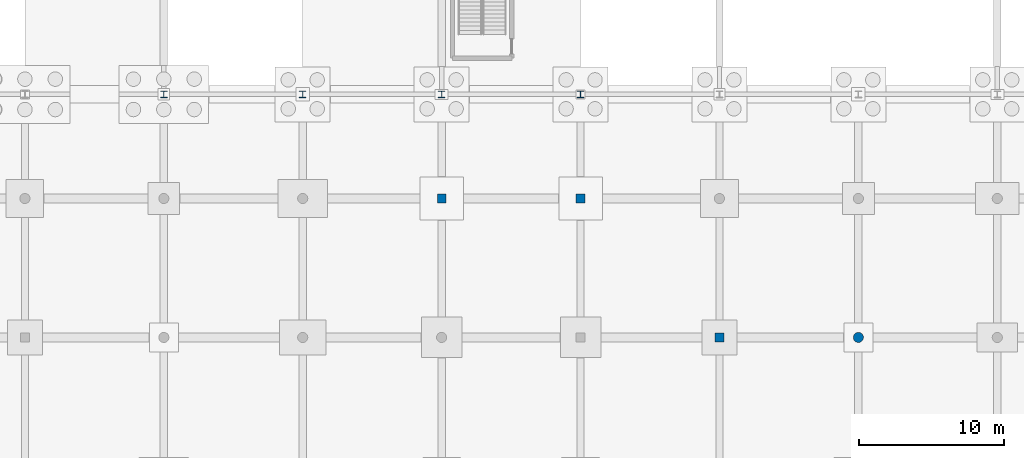
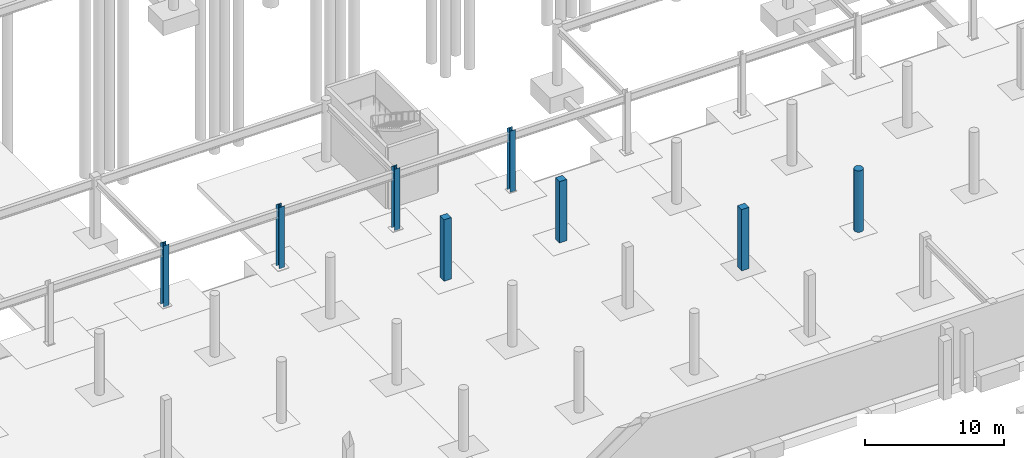
# One storey, part 15 of 50: 8 columns.
"""IFC4 building model written with IfcOpenShell, lengths in metres."""

from ifc_helpers import new_model, si_unit, direction, frame, origin, origin_2d, place, context, subcontext, project, spatial, rectangle, circle, i_section, extrude, material, material_profile, profile_set, type_object, element, save


model = new_model("IFC4")

# Units and contexts
model_context = context("Model", 3, precision=1e-05, world=origin(), true_north=direction((0.0, 1.0)))
body_context = subcontext(model_context, "Body", "Model", "MODEL_VIEW")
ifc_project = project(units=[si_unit("LENGTHUNIT", "METRE"), si_unit("AREAUNIT", "SQUARE_METRE"), si_unit("VOLUMEUNIT", "CUBIC_METRE"), si_unit("PLANEANGLEUNIT", "RADIAN"), si_unit("MASSUNIT", "GRAM", prefix="KILO")], contexts=[model_context])

# Site, building, storey
site_placement = place(None, origin())
site = spatial("IfcSite", under=ifc_project, at=site_placement, CompositionType="ELEMENT")
building_placement = place(site_placement, origin())
building = spatial("IfcBuilding", under=site, at=building_placement, Name="Yeouljin Market Hall", CompositionType="ELEMENT")
storey_placement = place(building_placement, frame((0.0, 0.0, -5.39990234375)))
storey = spatial("IfcBuildingStorey", under=building, at=storey_placement, Name="B1", CompositionType="ELEMENT", Elevation=-5.39990234375)

# Columns
ifc_material_1 = material(Name="Steel SM355", Category="steel")
ifc_material_profile_1 = material_profile(ifc_material_1, i_section(OverallWidth=0.449951171875, OverallDepth=0.449951171875, WebThickness=0.013916015625, FlangeThickness=0.02392578125, FilletRadius=0.02392578125, at=origin_2d()), Name="H-450x450x14x24")
ifc_profile_set_1 = profile_set([ifc_material_profile_1], Name="Steel SM355")
column_type_1 = type_object("IfcColumnType", Name="Col_H-450x450x14x24", PredefinedType="COLUMN", material=ifc_profile_set_1)
for number, where, z_axis, x_axis, name in (
    (1, (64.199951171875, 36.0, 0.0), (0.0, 0.0, 1.0), (1.0, 0.0, 0.0), "Column G-08-04 (B1)"),
    (2, (73.800048828125, 36.0, 0.0), (0.0, 0.0, 1.0), (1.0, 0.0, 0.0), "Column G-09-04 (B1)"),
    (3, (83.39990234375, 36.0, 0.0), (0.0, 0.0, 1.0), (1.0, 0.0, 0.0), "Column G-10-04 (B1)"),
    (4, (93.0, 36.0, 0.0), (0.0, 0.0, 1.0), (1.0, 0.0, 0.0), "Column G-11-04 (B1)"),
):
    element("IfcColumn", number, at=place(storey_placement, frame(where, z_axis=z_axis, x_axis=x_axis)), inside=storey, type_object=column_type_1, Name=name, PredefinedType="COLUMN", context=body_context, shape_type="SweptSolid", body=[
        extrude(i_section(OverallWidth=0.449951171875, OverallDepth=0.449951171875, WebThickness=0.013916015625, FlangeThickness=0.02392578125, FilletRadius=0.02392578125, at=origin_2d()), origin(), (0.0, 0.0, 1.0), 5.39990234375),
    ])
ifc_material_2 = material(Name="Concrete C35/45", Category="concrete")
ifc_material_profile_2 = material_profile(ifc_material_2, rectangle(XDim=0.60009765625, YDim=0.60009765625, at=origin_2d()), Name="RC-600x600")
ifc_profile_set_2 = profile_set([ifc_material_profile_2], Name="Concrete C35/45")
column_type_2 = type_object("IfcColumnType", Name="Col_RC-600x600", PredefinedType="COLUMN", material=ifc_profile_set_2)
for number, where, z_axis, x_axis, name in (
    (5, (83.39990234375, 28.800048828125, 0.0), (0.0, 0.0, 1.0), (1.0, 0.0, 0.0), "Column G-10-03 (B1)"),
    (6, (93.0, 28.800048828125, 0.0), (0.0, 0.0, 1.0), (1.0, 0.0, 0.0), "Column G-11-03 (B1)"),
    (7, (102.60009765625, 19.199951171875, 0.0), (0.0, 0.0, 1.0), (1.0, 0.0, 0.0), "Column G-12-02 (B1)"),
):
    element("IfcColumn", number, at=place(storey_placement, frame(where, z_axis=z_axis, x_axis=x_axis)), inside=storey, type_object=column_type_2, Name=name, PredefinedType="COLUMN", context=body_context, shape_type="SweptSolid", body=[
        extrude(rectangle(XDim=0.60009765625, YDim=0.60009765625, at=origin_2d()), origin(), (0.0, 0.0, 1.0), 5.39990234375),
    ])
ifc_material_3 = material(Name="Concrete C35/45", Category="concrete")
ifc_material_profile_3 = material_profile(ifc_material_3, circle(Radius=0.35009765625, at=origin_2d()), Name="RC-D700")
ifc_profile_set_3 = profile_set([ifc_material_profile_3], Name="Concrete C35/45")
column_type_3 = type_object("IfcColumnType", Name="Col_RC-D700", PredefinedType="COLUMN", material=ifc_profile_set_3)
column_placement = place(storey_placement, frame((112.199951171875, 19.199951171875, 0.0), z_axis=(0.0, 0.0, 1.0), x_axis=(1.0, 0.0, 0.0)))
element("IfcColumn", 8, at=column_placement, inside=storey, type_object=column_type_3, Name="Column G-13-02 (B1)", PredefinedType="COLUMN", context=body_context, shape_type="SweptSolid", body=[
    extrude(circle(Radius=0.35009765625, at=origin_2d()), origin(), (0.0, 0.0, 1.0), 5.39990234375),
])

save(model, "model.ifc")
